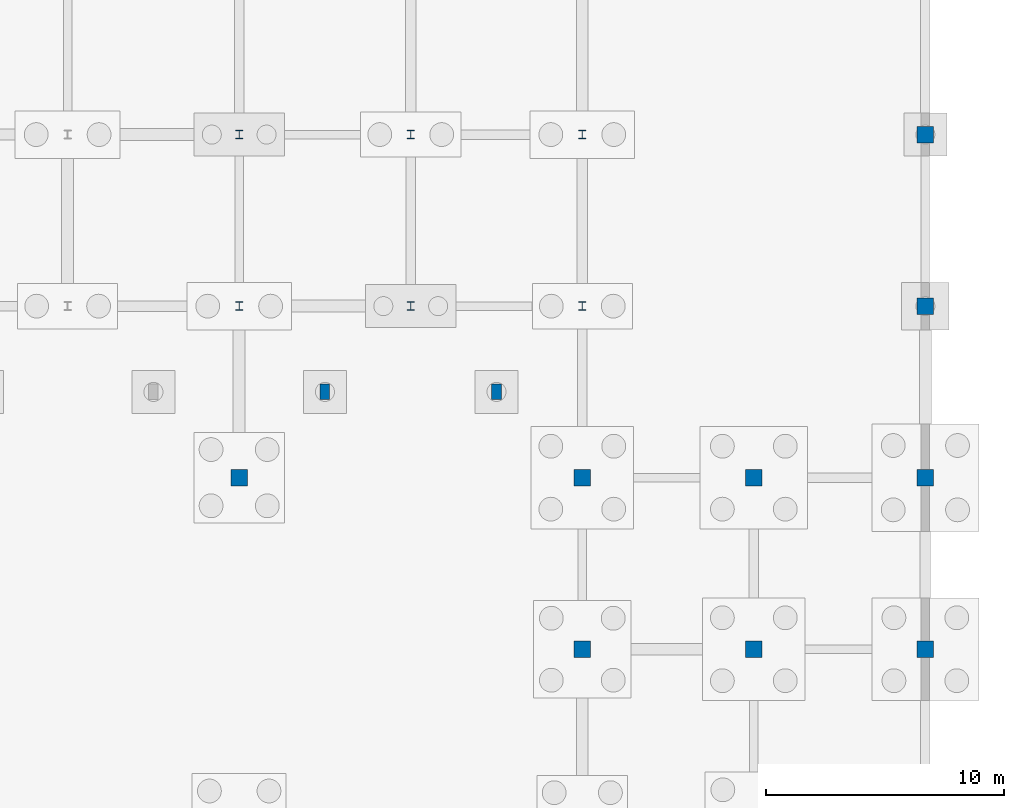
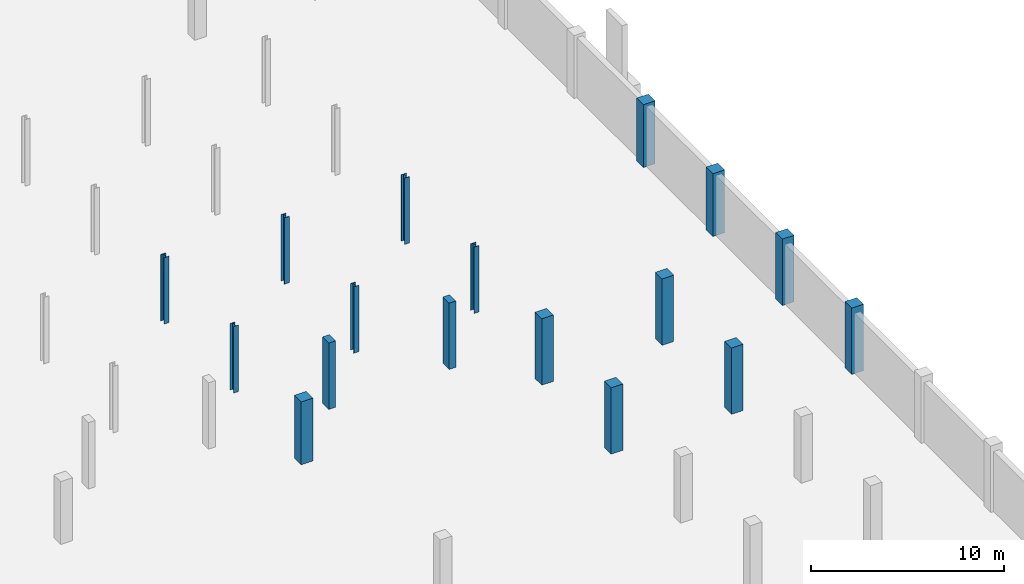
# One storey, part 32 of 56: 17 columns.
"""IFC4 building model written with IfcOpenShell, lengths in metres."""

from ifc_helpers import new_model, si_unit, direction, frame, origin, origin_2d, place, context, subcontext, project, spatial, rectangle, i_section, extrude, material, material_profile, profile_set, type_object, element, save


model = new_model("IFC4")

# Units and contexts
model_context = context("Model", 3, precision=1e-05, world=origin(), true_north=direction((0.0, 1.0)))
body_context = subcontext(model_context, "Body", "Model", "MODEL_VIEW")
ifc_project = project(units=[si_unit("LENGTHUNIT", "METRE"), si_unit("AREAUNIT", "SQUARE_METRE"), si_unit("VOLUMEUNIT", "CUBIC_METRE"), si_unit("PLANEANGLEUNIT", "RADIAN"), si_unit("MASSUNIT", "GRAM", prefix="KILO")], contexts=[model_context])

# Site, building, storey
site_placement = place(None, origin())
site = spatial("IfcSite", under=ifc_project, at=site_placement, CompositionType="ELEMENT")
building_placement = place(site_placement, origin())
building = spatial("IfcBuilding", under=site, at=building_placement, Name="Suanplinth Sawtooth Commons", CompositionType="ELEMENT")
storey_placement = place(building_placement, frame((0.0, 0.0, -4.199951171875)))
storey = spatial("IfcBuildingStorey", under=building, at=storey_placement, Name="B1", CompositionType="ELEMENT", Elevation=-4.199951171875)

# Columns
ifc_material_1 = material(Name="Concrete C40/50", Category="concrete")
ifc_material_profile_1 = material_profile(ifc_material_1, rectangle(XDim=0.699951171875, YDim=0.699951171875, at=origin_2d()), Name="RC-COL 700x700")
ifc_profile_set_1 = profile_set([ifc_material_profile_1], Name="Concrete C40/50")
column_type_1 = type_object("IfcColumnType", Name="C-02", PredefinedType="COLUMN", material=ifc_profile_set_1)
column_placement = place(storey_placement, frame((158.39990234375, 43.199951171875, 0.0), z_axis=(0.0, 0.0, 1.0), x_axis=(1.0, 0.0, 0.0)))
element("IfcColumn", 1, at=column_placement, inside=storey, type_object=column_type_1, Name="Column B1 23/G", PredefinedType="COLUMN", context=body_context, shape_type="SweptSolid", body=[
    extrude(rectangle(XDim=0.699951171875, YDim=0.699951171875, at=origin_2d()), origin(), (0.0, 0.0, 1.0), 3.97998046875),
])
for number, where, z_axis, x_axis, name in (
    (2, (172.800048828125, 36.0, 0.0), (0.0, 0.0, 1.0), (1.0, 0.0, 0.0), "Column B1 25/F"),
    (3, (172.800048828125, 43.199951171875, 0.0), (0.0, 0.0, 1.0), (1.0, 0.0, 0.0), "Column B1 25/G"),
    (4, (180.0, 36.0, 0.0), (0.0, 0.0, 1.0), (1.0, 0.0, 0.0), "Column B1 26/F"),
    (5, (180.0, 43.199951171875, 0.0), (0.0, 0.0, 1.0), (1.0, 0.0, 0.0), "Column B1 26/G"),
    (6, (187.199951171875, 36.0, 0.0), (0.0, 0.0, 1.0), (1.0, 0.0, 0.0), "Column B1 27/F"),
    (7, (187.199951171875, 43.199951171875, 0.0), (0.0, 0.0, 1.0), (1.0, 0.0, 0.0), "Column B1 27/G"),
):
    element("IfcColumn", number, at=place(storey_placement, frame(where, z_axis=z_axis, x_axis=x_axis)), inside=storey, type_object=column_type_1, Name=name, PredefinedType="COLUMN", context=body_context, shape_type="SweptSolid", body=[
        extrude(rectangle(XDim=0.699951171875, YDim=0.699951171875, at=origin_2d()), origin(), (0.0, 0.0, 1.0), 4.199951171875),
    ])
for number, where, z_axis, x_axis, name in (
    (8, (187.199951171875, 50.39990234375, 0.0), (0.0, 0.0, 1.0), (1.0, 0.0, 0.0), "Column B1 27/H"),
    (9, (187.199951171875, 57.60009765625, 0.0), (0.0, 0.0, 1.0), (1.0, 0.0, 0.0), "Column B1 27/J"),
):
    element("IfcColumn", number, at=place(storey_placement, frame(where, z_axis=z_axis, x_axis=x_axis)), inside=storey, type_object=column_type_1, Name=name, PredefinedType="COLUMN", context=body_context, shape_type="SweptSolid", body=[
        extrude(rectangle(XDim=0.699951171875, YDim=0.699951171875, at=origin_2d()), origin(), (0.0, 0.0, 1.0), 3.97998046875),
    ])
ifc_material_2 = material(Name="Steel S355JR", Category="steel")
ifc_material_profile_2 = material_profile(ifc_material_2, i_section(OverallWidth=0.300048828125, OverallDepth=0.360107421875, WebThickness=0.012451171875, FlangeThickness=0.0224609375, at=origin_2d()), Name="HEB 360")
ifc_profile_set_2 = profile_set([ifc_material_profile_2], Name="Steel S355JR")
column_type_2 = type_object("IfcColumnType", Name="C-10", PredefinedType="COLUMN", material=ifc_profile_set_2)
for number, where, z_axis, x_axis, name in (
    (10, (158.39990234375, 50.39990234375, 0.0), (0.0, 0.0, 1.0), (1.0, 0.0, 0.0), "Column B1 23/H"),
    (11, (158.39990234375, 57.60009765625, 0.0), (0.0, 0.0, 1.0), (1.0, 0.0, 0.0), "Column B1 23/J"),
    (12, (165.60009765625, 50.39990234375, 0.0), (0.0, 0.0, 1.0), (1.0, 0.0, 0.0), "Column B1 24/H"),
    (13, (165.60009765625, 57.60009765625, 0.0), (0.0, 0.0, 1.0), (1.0, 0.0, 0.0), "Column B1 24/J"),
    (14, (172.800048828125, 50.39990234375, 0.0), (0.0, 0.0, 1.0), (1.0, 0.0, 0.0), "Column B1 25/H"),
    (15, (172.800048828125, 57.60009765625, 0.0), (0.0, 0.0, 1.0), (1.0, 0.0, 0.0), "Column B1 25/J"),
):
    element("IfcColumn", number, at=place(storey_placement, frame(where, z_axis=z_axis, x_axis=x_axis)), inside=storey, type_object=column_type_2, Name=name, PredefinedType="COLUMN", context=body_context, shape_type="SweptSolid", body=[
        extrude(i_section(OverallWidth=0.300048828125, OverallDepth=0.360107421875, WebThickness=0.012451171875, FlangeThickness=0.0224609375, at=origin_2d()), origin(), (0.0, 0.0, 1.0), 4.199951171875),
    ])
ifc_material_3 = material(Name="Precast concrete C40/50", Category="concrete")
ifc_material_profile_3 = material_profile(ifc_material_3, rectangle(XDim=0.39990234375, YDim=0.64990234375, at=origin_2d()), Name="PC-PIL 400x650")
ifc_profile_set_3 = profile_set([ifc_material_profile_3], Name="Precast concrete C40/50")
column_type_3 = type_object("IfcColumnType", Name="C-14", PredefinedType="PILASTER", material=ifc_profile_set_3)
for number, where, z_axis, x_axis, name in (
    (16, (162.0, 46.800048828125, 0.0), (0.0, 0.0, 1.0), (1.0, 0.0, 0.0), "Veranda Colonnade Pilaster B1 P11"),
    (17, (169.199951171875, 46.800048828125, 0.0), (0.0, 0.0, 1.0), (1.0, 0.0, 0.0), "Veranda Colonnade Pilaster B1 P12"),
):
    element("IfcColumn", number, at=place(storey_placement, frame(where, z_axis=z_axis, x_axis=x_axis)), inside=storey, type_object=column_type_3, Name=name, PredefinedType="PILASTER", context=body_context, shape_type="SweptSolid", body=[
        extrude(rectangle(XDim=0.39990234375, YDim=0.64990234375, at=origin_2d()), origin(), (0.0, 0.0, 1.0), 4.199951171875),
    ])

save(model, "model.ifc")
